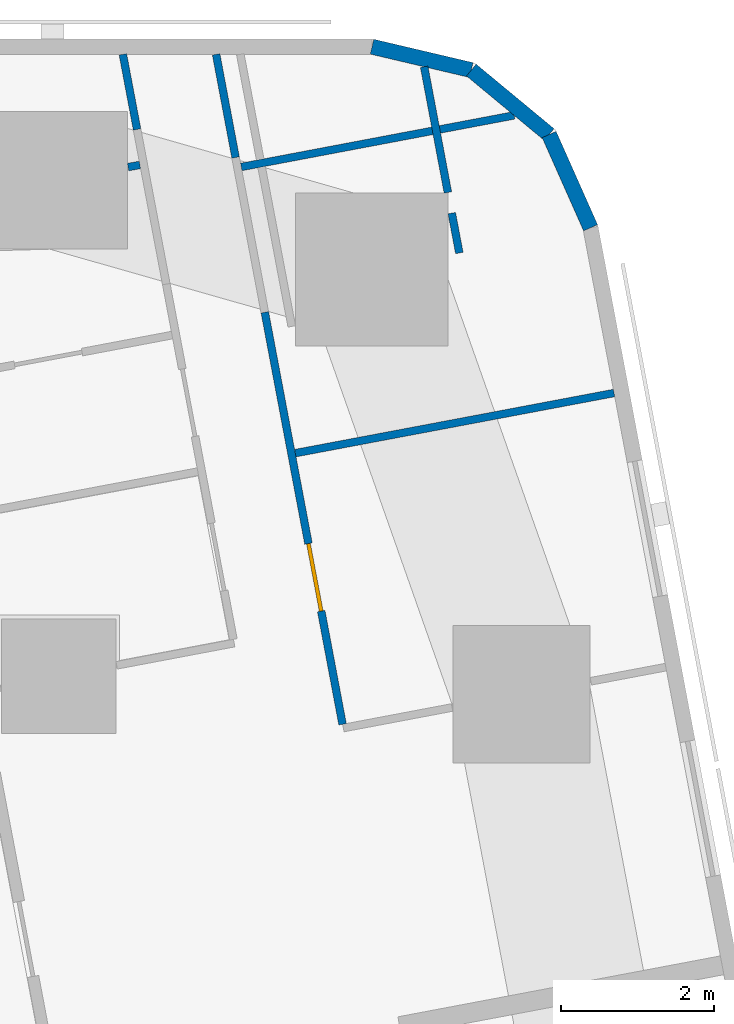
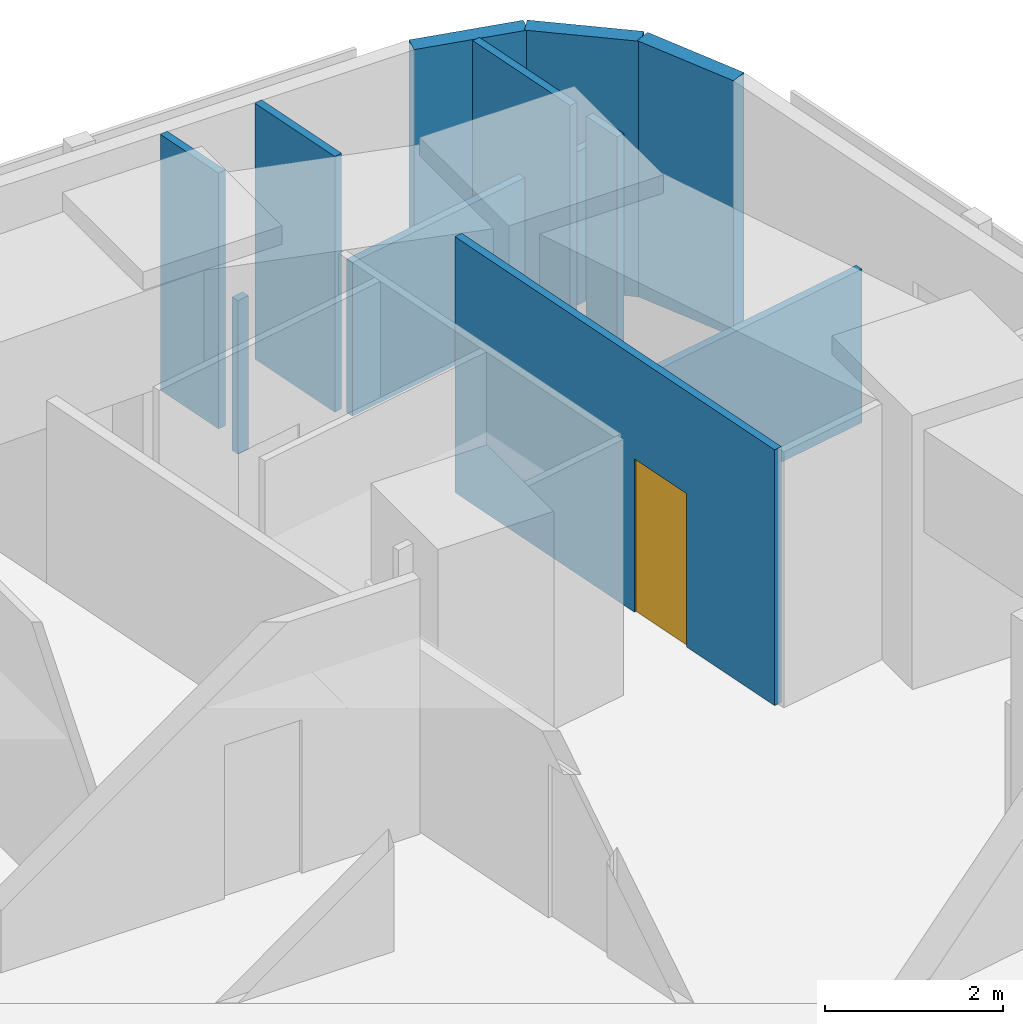
# One storey, part 11 of 15: 11 walls, 1 door, 1 opening.
"""IFC4 building model written with IfcOpenShell, lengths in metres."""

from ifc_helpers import new_model, si_unit, direction, frame, frame_2d, origin, place, context, subcontext, project, spatial, rectangle, extrude, material, layer, layer_set, type_object, element, fill, save


model = new_model("IFC4")

# Units and contexts
model_context = context("Model", 3, precision=1e-05, world=origin(), true_north=direction((0.0, 1.0)))
body_context = subcontext(model_context, "Body", "Model", "MODEL_VIEW")
ifc_project = project(units=[si_unit("LENGTHUNIT", "METRE"), si_unit("AREAUNIT", "SQUARE_METRE"), si_unit("VOLUMEUNIT", "CUBIC_METRE"), si_unit("PLANEANGLEUNIT", "RADIAN"), si_unit("MASSUNIT", "GRAM", prefix="KILO")], contexts=[model_context])

# Site, building, storey
site_placement = place(None, origin())
site = spatial("IfcSite", under=ifc_project, at=site_placement, CompositionType="ELEMENT")
building_placement = place(site_placement, origin())
building = spatial("IfcBuilding", under=site, at=building_placement, Name="Sheger Commons Tower", CompositionType="ELEMENT")
storey_placement = place(building_placement, frame((0.0, 0.0, 169.550048828125)))
storey = spatial("IfcBuildingStorey", under=building, at=storey_placement, Name="L43", CompositionType="ELEMENT", Elevation=169.550048828125)

# Walls
ifc_material_1 = material(Name="Rendered concrete block masonry, dark grey", Category="masonry")
ifc_layer_1 = layer(ifc_material_1, 0.199951171875)
ifc_layer_set_1 = layer_set([ifc_layer_1], Name="FACADE WALL 200")
wall_type_1 = type_object("IfcWallType", Name="FACADE WALL 200", PredefinedType="SOLIDWALL", material=ifc_layer_set_1)
wall_1_placement = place(storey_placement, frame((42.969970703125, 43.376953125, 0.0), z_axis=(0.0, 0.0, 1.0), x_axis=(-0.406002956633, 0.913871762998, 0.0)))
element("IfcWall", 1, at=wall_1_placement, inside=storey, type_object=wall_type_1, Name="Facade wall L43", PredefinedType="SOLIDWALL", context=body_context, shape_type="SweptSolid", body=[
    extrude(rectangle(XDim=1.33740234375, YDim=0.199951171875, at=frame_2d((0.668701171875, 0.0))), origin(), (0.0, 0.0, 1.0), 3.5),
])
wall_2_placement = place(storey_placement, frame((42.427001953125, 44.59912109375, 0.0), z_axis=(0.0, 0.0, 1.0), x_axis=(-0.770091412544, 0.637933551655, 0.0)))
element("IfcWall", 2, at=wall_2_placement, inside=storey, type_object=wall_type_1, Name="Facade wall L43", PredefinedType="SOLIDWALL", context=body_context, shape_type="SweptSolid", body=[
    extrude(rectangle(XDim=1.324462890625, YDim=0.199951171875, at=frame_2d((0.662109375, 0.0))), origin(), (0.0, 0.0, 1.0), 3.5),
])
wall_3_placement = place(storey_placement, frame((41.406982421875, 45.444091796875, 0.0), z_axis=(0.0, 0.0, 1.0), x_axis=(-0.973453091607, 0.228886606077, 0.0)))
element("IfcWall", 3, at=wall_3_placement, inside=storey, type_object=wall_type_1, Name="Facade wall L43", PredefinedType="SOLIDWALL", context=body_context, shape_type="SweptSolid", body=[
    extrude(rectangle(XDim=1.33642578125, YDim=0.199951171875, at=frame_2d((0.668212890625, 0.0))), origin(), (0.0, 0.0, 1.0), 3.5),
])
ifc_material_2 = material(Name="Gypsum board on steel studs", Category="steel")
ifc_layer_2 = layer(ifc_material_2, 0.10009765625)
ifc_layer_set_2 = layer_set([ifc_layer_2], Name="PARTITION 100")
wall_type_2 = type_object("IfcWallType", Name="PARTITION 100", PredefinedType="PARTITIONING", material=ifc_layer_set_2)
wall_4_placement = place(storey_placement, frame((40.7890625, 45.487060546875, 0.0), z_axis=(0.0, 0.0, 1.0), x_axis=(0.185572395193, -0.982630594955, 0.0)))
element("IfcWall", 4, at=wall_4_placement, inside=storey, type_object=wall_type_2, Name="Partition L43", PredefinedType="PARTITIONING", context=body_context, shape_type="SweptSolid", body=[
    extrude(rectangle(XDim=1.676025390625, YDim=0.10009765625, at=frame_2d((0.837890625, 0.0))), origin(), (0.0, 0.0, 1.0), 3.5),
])
wall_5_placement = place(storey_placement, frame((41.15087890625, 43.569091796875, 0.0), z_axis=(0.0, 0.0, 1.0), x_axis=(0.186563073924, -0.982442985342, 0.0)))
element("IfcWall", 5, at=wall_5_placement, inside=storey, type_object=wall_type_2, Name="Partition L43", PredefinedType="PARTITIONING", context=body_context, shape_type="SweptSolid", body=[
    extrude(rectangle(XDim=0.53125, YDim=0.10009765625, at=frame_2d((0.265625, 0.0))), origin(), (0.0, 0.0, 1.0), 3.5),
])
wall_6_placement = place(storey_placement, frame((38.06298828125, 45.64990234375, 0.0), z_axis=(0.0, 0.0, 1.0), x_axis=(0.185456359766, -0.982652501458, 0.0)))
element("IfcWall", 6, at=wall_6_placement, inside=storey, type_object=wall_type_2, Name="Partition L43", PredefinedType="PARTITIONING", context=body_context, shape_type="SweptSolid", body=[
    extrude(rectangle(XDim=1.375732421875, YDim=0.10009765625, at=frame_2d((0.68798828125, 0.0))), origin(), (0.0, 0.0, 1.0), 3.5),
])

# Wall, opening, door
wall_7_placement = place(storey_placement, frame((38.700927734375, 42.27001953125, 0.0), z_axis=(0.0, 0.0, 1.0), x_axis=(0.185474244877, -0.982649125826, 0.0)))
wall_7 = element("IfcWall", 7, at=wall_7_placement, inside=storey, type_object=wall_type_2, Name="Partition L43", PredefinedType="PARTITIONING", context=body_context, shape_type="SweptSolid", body=[
    extrude(rectangle(XDim=5.494140625, YDim=0.10009765625, at=frame_2d((2.7470703125, 0.0))), origin(), (0.0, 0.0, 1.0), 3.5),
])
opening_placement = place(wall_7_placement, frame((3.0849609375, 0.0, 0.0)))
opening = element("IfcOpeningElement", 8, at=opening_placement, cuts=wall_7, Name="Opening D2", PredefinedType="OPENING", context=body_context, shape_type="SweptSolid", body=[
    extrude(rectangle(XDim=0.89990234375, YDim=2.10009765625, at=frame_2d((0.449951171875, 1.050048828125))), frame((0.0, 0.06005859375, 0.0), z_axis=(0.0, -1.0, 0.0), x_axis=(1.0, 0.0, 0.0)), (0.0, 0.0, 1.0), 0.1201171875),
])
ifc_material_3 = material(Name="Timber door set", Category="wood")
door_type = type_object("IfcDoorType", Name="INTERNAL DOOR 900x2100", OperationType="NOTDEFINED", PredefinedType="DOOR", material=ifc_material_3)
door_placement = place(opening_placement, origin())
door = element("IfcDoor", 9, at=door_placement, inside=storey, type_object=door_type, Name="Main bedroom door", OperationType="SINGLE_SWING_LEFT", OverallHeight=2.10009765625, OverallWidth=0.89990234375, PredefinedType="DOOR", context=body_context, shape_type="SweptSolid", body=[
    extrude(rectangle(XDim=0.89990234375, YDim=2.10009765625, at=frame_2d((0.449951171875, 1.050048828125))), frame((0.0, 0.02490234375, 0.0), z_axis=(0.0, -1.0, 0.0), x_axis=(1.0, 0.0, 0.0)), (0.0, 0.0, 1.0), 0.050048828125),
])
fill(opening, door)

# Walls
wall_8_placement = place(storey_placement, frame((36.841064453125, 45.64990234375, 0.0), z_axis=(0.0, 0.0, 1.0), x_axis=(0.185789875365, -0.982589498322, 0.0)))
element("IfcWall", 10, at=wall_8_placement, inside=storey, type_object=wall_type_2, Name="Partition L43", PredefinedType="PARTITIONING", context=body_context, shape_type="SweptSolid", body=[
    extrude(rectangle(XDim=1.001220703125, YDim=0.10009765625, at=frame_2d((0.50048828125, 0.0))), origin(), (0.0, 0.0, 1.0), 3.5),
])
wall_9_placement = place(storey_placement, frame((41.968017578125, 44.85009765625, 0.0), z_axis=(0.0, 0.0, 1.0), x_axis=(-0.98258614234, -0.185807623311, 0.0)))
element("IfcWall", 11, at=wall_9_placement, inside=storey, type_object=wall_type_2, Name="Partition L43", PredefinedType="PARTITIONING", context=body_context, shape_type="SweptSolid", body=[
    extrude(rectangle(XDim=3.638427734375, YDim=0.10009765625, at=frame_2d((1.8193359375, 0.0))), origin(), (0.0, 0.0, 1.0), 2.099853515625),
])
wall_10_placement = place(storey_placement, frame((43.277099609375, 41.2119140625, 0.0), z_axis=(0.0, 0.0, 1.0), x_axis=(-0.982665405803, -0.185387972203, 0.0)))
element("IfcWall", 12, at=wall_10_placement, inside=storey, type_object=wall_type_2, Name="Partition L43", PredefinedType="PARTITIONING", context=body_context, shape_type="SweptSolid", body=[
    extrude(rectangle(XDim=4.249755859375, YDim=0.10009765625, at=frame_2d((2.125, 0.0))), origin(), (0.0, 0.0, 1.0), 2.099853515625),
])
wall_11_placement = place(storey_placement, frame((37.06396484375, 44.200927734375, 0.0), z_axis=(0.0, 0.0, 1.0), x_axis=(-0.982960250751, -0.183818240236, 0.0)))
element("IfcWall", 13, at=wall_11_placement, inside=storey, type_object=wall_type_2, Name="Partition L43", PredefinedType="PARTITIONING", context=body_context, shape_type="SweptSolid", body=[
    extrude(rectangle(XDim=0.15673828125, YDim=0.10009765625, at=frame_2d((0.078369140625, 0.0))), origin(), (0.0, 0.0, 1.0), 2.099853515625),
])

save(model, "model.ifc")
